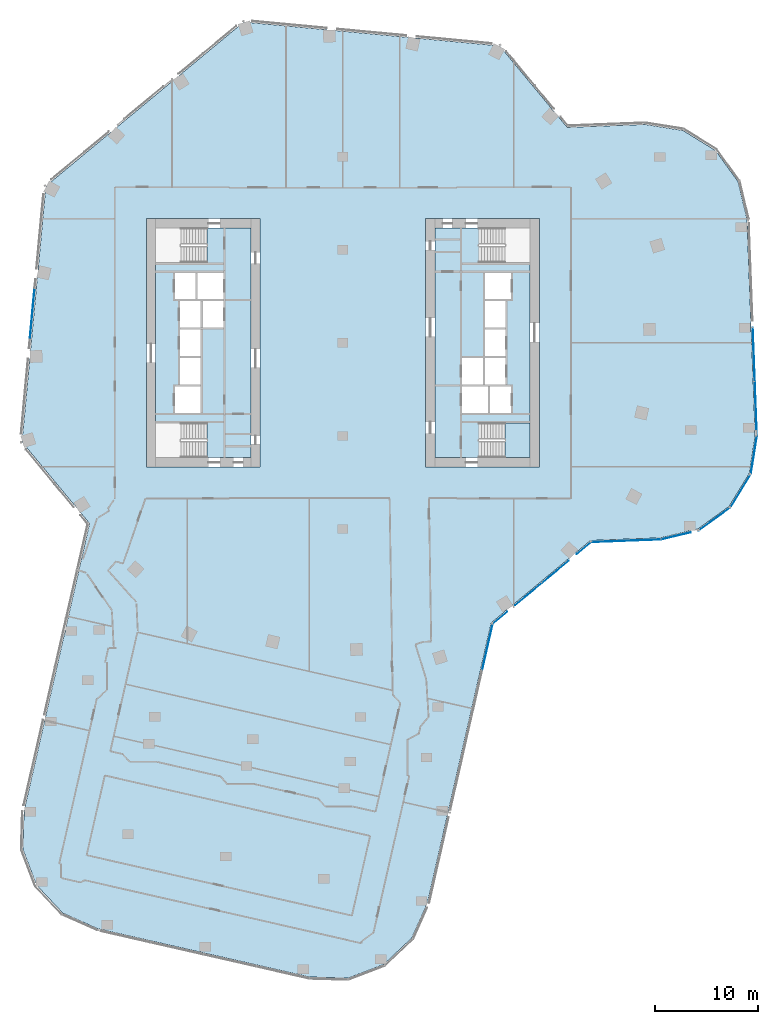
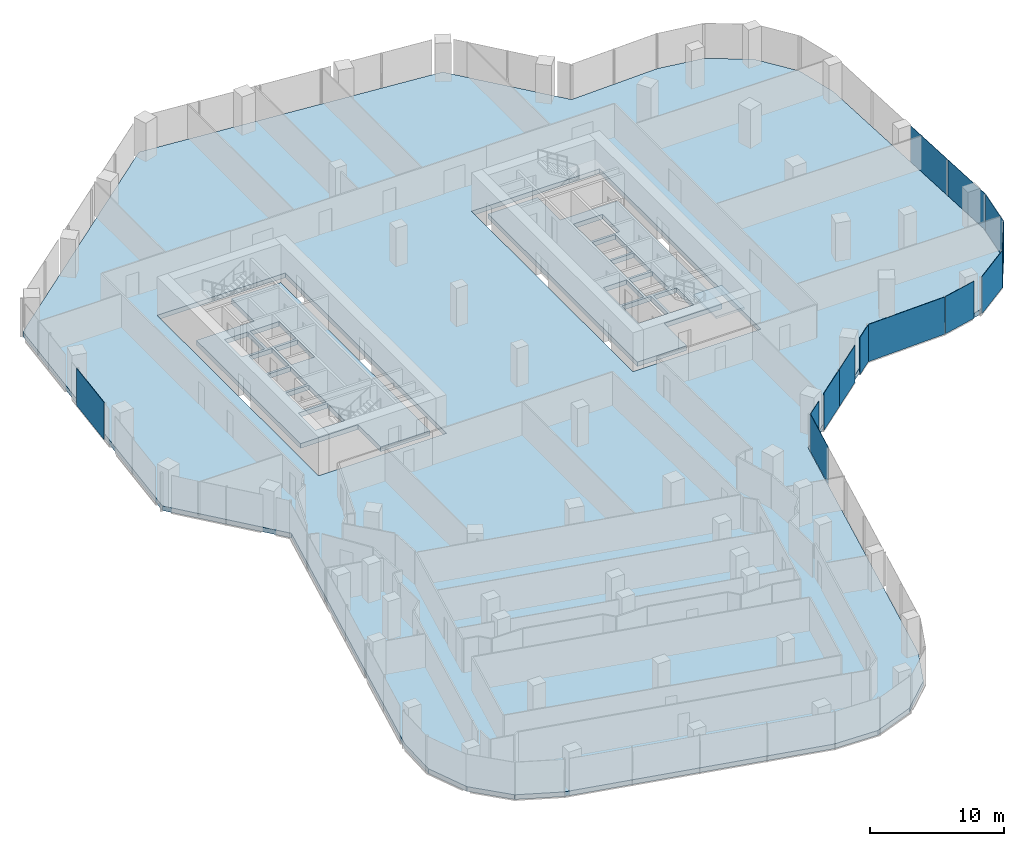
# One storey, part 15 of 24: 13 plates, 4 slabs, 10 elements without a shape of their own.
"""IFC4 building model written with IfcOpenShell, lengths in metres."""

from ifc_helpers import new_model, si_unit, direction, frame, origin, origin_2d, place, context, subcontext, project, spatial, polyline, rectangle, outline, extrude, material, layer, layer_set, type_object, element, aggregate, save


model = new_model("IFC4")

# Units and contexts
model_context = context("Model", 3, precision=1e-05, world=origin(), true_north=direction((0.0, 1.0)))
body_context = subcontext(model_context, "Body", "Model", "MODEL_VIEW")
ifc_project = project(units=[si_unit("LENGTHUNIT", "METRE"), si_unit("AREAUNIT", "SQUARE_METRE"), si_unit("VOLUMEUNIT", "CUBIC_METRE"), si_unit("PLANEANGLEUNIT", "RADIAN"), si_unit("MASSUNIT", "GRAM", prefix="KILO")], contexts=[model_context])

# Site, building, storey
site_placement = place(None, origin())
site = spatial("IfcSite", under=ifc_project, at=site_placement, CompositionType="ELEMENT")
building_placement = place(site_placement, origin())
building = spatial("IfcBuilding", under=site, at=building_placement, Name="Orlundy Tower", CompositionType="ELEMENT")
storey_placement = place(building_placement, frame((0.0, 0.0, 177.60009765625)))
storey = spatial("IfcBuildingStorey", under=building, at=storey_placement, Name="L46", CompositionType="ELEMENT", Elevation=177.60009765625)

# Curtain wall, plate
ifc_material_1 = material(Name="Aluminium bronze anodised", Category="aluminium")
curtain_wall_type = type_object("IfcCurtainWallType", Name="CW1 wall", PredefinedType="NOTDEFINED", material=ifc_material_1)
curtain_wall_1_placement = place(storey_placement, origin())
curtain_wall_1 = element("IfcCurtainWall", 1, at=curtain_wall_1_placement, inside=storey, type_object=curtain_wall_type, Name="CW1 run 02", PredefinedType="NOTDEFINED")
ifc_material_2 = material(Name="Tinted glass", Category="glass")
ifc_layer_1 = layer(ifc_material_2, 0.031982421875)
ifc_layer_set_1 = layer_set([ifc_layer_1], Name="CW1 glass panel 32")
plate_type = type_object("IfcPlateType", Name="CW1 glass panel 32", PredefinedType="CURTAIN_PANEL", material=ifc_layer_set_1)
plate_1_placement = place(storey_placement, frame((-30.033203125, 2.8037109375, -0.300048828125), z_axis=(0.0, 0.0, 1.0), x_axis=(0.092948066811, 0.995670958136, 0.0)))
plate_1 = element("IfcPlate", 2, at=plate_1_placement, type_object=plate_type, Name="CW1 panel", PredefinedType="CURTAIN_PANEL", context=body_context, shape_type="SweptSolid", body=[
    extrude(rectangle(XDim=4.92041015625, YDim=0.031982421875, at=origin_2d()), origin(), (0.0, 0.0, 1.0), 3.3798828125),
])
aggregate(curtain_wall_1, [plate_1])

# Curtain wall, plates
curtain_wall_2_placement = place(storey_placement, origin())
curtain_wall_2 = element("IfcCurtainWall", 3, at=curtain_wall_2_placement, inside=storey, type_object=curtain_wall_type, Name="CW1 run 011", PredefinedType="NOTDEFINED")
plate_2_placement = place(storey_placement, frame((39.735107421875, -1.12353515625, -0.300048828125), z_axis=(0.0, 0.0, 1.0), x_axis=(0.03780949547, -0.999284965389, 0.0)))
plate_2 = element("IfcPlate", 4, at=plate_2_placement, type_object=plate_type, Name="CW1 panel", PredefinedType="CURTAIN_PANEL", context=body_context, shape_type="SweptSolid", body=[
    extrude(rectangle(XDim=5.199951171875, YDim=0.031982421875, at=origin_2d()), origin(), (0.0, 0.0, 1.0), 3.3798828125),
])
plate_3_placement = place(storey_placement, frame((39.933837890625, -6.377685546875, -0.300048828125), z_axis=(0.0, 0.0, 1.0), x_axis=(0.03780949547, -0.999284965389, 0.0)))
plate_3 = element("IfcPlate", 5, at=plate_3_placement, type_object=plate_type, Name="CW1 panel", PredefinedType="CURTAIN_PANEL", context=body_context, shape_type="SweptSolid", body=[
    extrude(rectangle(XDim=5.216064453125, YDim=0.031982421875, at=origin_2d()), origin(), (0.0, 0.0, 1.0), 3.3798828125),
])
aggregate(curtain_wall_2, [plate_2, plate_3])

# Curtain wall, plate
curtain_wall_3_placement = place(storey_placement, origin())
curtain_wall_3 = element("IfcCurtainWall", 6, at=curtain_wall_3_placement, inside=storey, type_object=curtain_wall_type, Name="CW1 run 012", PredefinedType="NOTDEFINED")
plate_4_placement = place(storey_placement, frame((39.735107421875, -10.87548828125, -0.300048828125), z_axis=(0.0, 0.0, 1.0), x_axis=(-0.157832660108, -0.987465873539, 0.0)))
plate_4 = element("IfcPlate", 7, at=plate_4_placement, type_object=plate_type, Name="CW1 panel", PredefinedType="CURTAIN_PANEL", context=body_context, shape_type="SweptSolid", body=[
    extrude(rectangle(XDim=3.730224609375, YDim=0.031982421875, at=origin_2d()), origin(), (0.0, 0.0, 1.0), 3.3798828125),
])
aggregate(curtain_wall_3, [plate_4])

curtain_wall_4_placement = place(storey_placement, origin())
curtain_wall_4 = element("IfcCurtainWall", 8, at=curtain_wall_4_placement, inside=storey, type_object=curtain_wall_type, Name="CW1 run 013", PredefinedType="NOTDEFINED")
plate_5_placement = place(storey_placement, frame((38.45263671875, -14.323974609375, -0.300048828125), z_axis=(0.0, 0.0, 1.0), x_axis=(-0.523826505898, -0.851824977163, 0.0)))
plate_5 = element("IfcPlate", 9, at=plate_5_placement, type_object=plate_type, Name="CW1 panel", PredefinedType="CURTAIN_PANEL", context=body_context, shape_type="SweptSolid", body=[
    extrude(rectangle(XDim=3.772705078125, YDim=0.031982421875, at=origin_2d()), origin(), (0.0, 0.0, 1.0), 3.3798828125),
])
aggregate(curtain_wall_4, [plate_5])

curtain_wall_5_placement = place(storey_placement, origin())
curtain_wall_5 = element("IfcCurtainWall", 10, at=curtain_wall_5_placement, inside=storey, type_object=curtain_wall_type, Name="CW1 run 014", PredefinedType="NOTDEFINED")
plate_6_placement = place(storey_placement, frame((35.937255859375, -17.036865234375, -0.300048828125), z_axis=(0.0, 0.0, 1.0), x_axis=(-0.809924443503, -0.586534223909, 0.0)))
plate_6 = element("IfcPlate", 11, at=plate_6_placement, type_object=plate_type, Name="CW1 panel", PredefinedType="CURTAIN_PANEL", context=body_context, shape_type="SweptSolid", body=[
    extrude(rectangle(XDim=3.771728515625, YDim=0.031982421875, at=origin_2d()), origin(), (0.0, 0.0, 1.0), 3.3798828125),
])
aggregate(curtain_wall_5, [plate_6])

curtain_wall_6_placement = place(storey_placement, origin())
curtain_wall_6 = element("IfcCurtainWall", 12, at=curtain_wall_6_placement, inside=storey, type_object=curtain_wall_type, Name="CW1 run 015", PredefinedType="NOTDEFINED")
plate_7_placement = place(storey_placement, frame((32.206298828125, -18.669189453125, -0.300048828125), z_axis=(0.0, 0.0, 1.0), x_axis=(-0.972643862343, -0.232301349645, 0.0)))
plate_7 = element("IfcPlate", 13, at=plate_7_placement, type_object=plate_type, Name="CW1 panel", PredefinedType="CURTAIN_PANEL", context=body_context, shape_type="SweptSolid", body=[
    extrude(rectangle(XDim=2.92919921875, YDim=0.031982421875, at=origin_2d()), origin(), (0.0, 0.0, 1.0), 3.3798828125),
])
aggregate(curtain_wall_6, [plate_7])

curtain_wall_7_placement = place(storey_placement, origin())
curtain_wall_7 = element("IfcCurtainWall", 14, at=curtain_wall_7_placement, inside=storey, type_object=curtain_wall_type, Name="CW1 run 016", PredefinedType="NOTDEFINED")
plate_8_placement = place(storey_placement, frame((27.37451171875, -19.14306640625, -0.300048828125), z_axis=(0.0, 0.0, 1.0), x_axis=(-0.999287923787, -0.037731225433, 0.0)))
plate_8 = element("IfcPlate", 15, at=plate_8_placement, type_object=plate_type, Name="CW1 panel", PredefinedType="CURTAIN_PANEL", context=body_context, shape_type="SweptSolid", body=[
    extrude(rectangle(XDim=6.72021484375, YDim=0.031982421875, at=origin_2d()), origin(), (0.0, 0.0, 1.0), 3.3798828125),
])
aggregate(curtain_wall_7, [plate_8])

# Curtain wall, plates
curtain_wall_8_placement = place(storey_placement, origin())
curtain_wall_8 = element("IfcCurtainWall", 16, at=curtain_wall_8_placement, inside=storey, type_object=curtain_wall_type, Name="CW1 run 017", PredefinedType="NOTDEFINED")
plate_9_placement = place(storey_placement, frame((23.319091796875, -19.848388671875, -0.300048828125), z_axis=(0.0, 0.0, 1.0), x_axis=(-0.769761799816, -0.638331239674, 0.0)))
plate_9 = element("IfcPlate", 17, at=plate_9_placement, type_object=plate_type, Name="CW1 panel", PredefinedType="CURTAIN_PANEL", context=body_context, shape_type="SweptSolid", body=[
    extrude(rectangle(XDim=1.81298828125, YDim=0.031982421875, at=origin_2d()), origin(), (0.0, 0.0, 1.0), 3.3798828125),
])
plate_10_placement = place(storey_placement, frame((20.555908203125, -22.139892578125, -0.300048828125), z_axis=(0.0, 0.0, 1.0), x_axis=(-0.769761799816, -0.638331239674, 0.0)))
plate_10 = element("IfcPlate", 18, at=plate_10_placement, type_object=plate_type, Name="CW1 panel", PredefinedType="CURTAIN_PANEL", context=body_context, shape_type="SweptSolid", body=[
    extrude(rectangle(XDim=3.33203125, YDim=0.031982421875, at=origin_2d()), origin(), (0.0, 0.0, 1.0), 3.3798828125),
])
plate_11_placement = place(storey_placement, frame((17.95263671875, -24.298583984375, -0.300048828125), z_axis=(0.0, 0.0, 1.0), x_axis=(-0.769761799816, -0.638331239674, 0.0)))
plate_11 = element("IfcPlate", 19, at=plate_11_placement, type_object=plate_type, Name="CW1 panel", PredefinedType="CURTAIN_PANEL", context=body_context, shape_type="SweptSolid", body=[
    extrude(rectangle(XDim=3.331787109375, YDim=0.031982421875, at=origin_2d()), origin(), (0.0, 0.0, 1.0), 3.3798828125),
])
plate_12_placement = place(storey_placement, frame((15.189453125, -26.58984375, -0.300048828125), z_axis=(0.0, 0.0, 1.0), x_axis=(-0.769761799816, -0.638331239674, 0.0)))
plate_12 = element("IfcPlate", 20, at=plate_12_placement, type_object=plate_type, Name="CW1 panel", PredefinedType="CURTAIN_PANEL", context=body_context, shape_type="SweptSolid", body=[
    extrude(rectangle(XDim=1.8134765625, YDim=0.031982421875, at=origin_2d()), origin(), (0.0, 0.0, 1.0), 3.3798828125),
])
aggregate(curtain_wall_8, [plate_9, plate_10, plate_11, plate_12])

# Curtain wall, plate
curtain_wall_9_placement = place(storey_placement, origin())
curtain_wall_9 = element("IfcCurtainWall", 21, at=curtain_wall_9_placement, inside=storey, type_object=curtain_wall_type, Name="CW1 run 018", PredefinedType="NOTDEFINED")
plate_13_placement = place(storey_placement, frame((13.986328125, -29.386962890625, -0.300048828125), z_axis=(0.0, 0.0, 1.0), x_axis=(-0.222106437373, -0.975022425628, 0.0)))
plate_13 = element("IfcPlate", 22, at=plate_13_placement, type_object=plate_type, Name="CW1 panel", PredefinedType="CURTAIN_PANEL", context=body_context, shape_type="SweptSolid", body=[
    extrude(rectangle(XDim=4.550048828125, YDim=0.031982421875, at=origin_2d()), origin(), (0.0, 0.0, 1.0), 3.3798828125),
])
aggregate(curtain_wall_9, [plate_13])

# Slabs
ifc_material_3 = material(Name="Concrete C50/60", Category="concrete")
ifc_layer_2 = layer(ifc_material_3, 0.419921875)
ifc_layer_set_2 = layer_set([ifc_layer_2], Name="Core Floor Slab 420")
slab_type_1 = type_object("IfcSlabType", Name="Core Floor Slab 420", PredefinedType="FLOOR", material=ifc_layer_set_2)
slab_1_placement = place(storey_placement, frame((0.0, 0.0, -0.420166015625)))
element("IfcSlab", 23, at=slab_1_placement, inside=storey, type_object=slab_type_1, Name="Core floor W35", PredefinedType="FLOOR", context=body_context, shape_type="SweptSolid", body=[
    extrude(outline(polyline([(-13.14501953125, -11.10009765625), (-13.14501953125, -7.75), (-18.10009765625, -7.75), (-18.10009765625, 7.75), (-13.14501953125, 7.75), (-13.14501953125, 11.10009765625), (-8.89990234375, 11.10009765625), (-8.89990234375, -11.10009765625), (-13.14501953125, -11.10009765625)]), holes=[polyline([(-13.739990234375, -4.22509765625), (-16.239990234375, -4.22509765625), (-16.239990234375, -6.77490234375), (-13.739990234375, -6.77490234375), (-13.739990234375, -4.22509765625)]), polyline([(-13.739990234375, -4.02490234375), (-13.739990234375, -1.47509765625), (-15.739990234375, -1.47509765625), (-15.739990234375, -4.02490234375), (-13.739990234375, -4.02490234375)]), polyline([(-15.739990234375, -1.27490234375), (-13.739990234375, -1.27490234375), (-13.739990234375, 1.27490234375), (-15.739990234375, 1.27490234375), (-15.739990234375, -1.27490234375)]), polyline([(-13.5400390625, 4.02490234375), (-13.5400390625, 1.47509765625), (-11.5400390625, 1.47509765625), (-11.5400390625, 4.02490234375), (-13.5400390625, 4.02490234375)]), polyline([(-13.739990234375, 4.02490234375), (-15.739990234375, 4.02490234375), (-15.739990234375, 1.47509765625), (-13.739990234375, 1.47509765625), (-13.739990234375, 4.02490234375)]), polyline([(-11.5400390625, 4.22509765625), (-11.5400390625, 6.77490234375), (-14.0400390625, 6.77490234375), (-14.0400390625, 4.22509765625), (-11.5400390625, 4.22509765625)]), polyline([(-16.239990234375, 4.22509765625), (-14.239990234375, 4.22509765625), (-14.239990234375, 6.77490234375), (-16.239990234375, 6.77490234375), (-16.239990234375, 4.22509765625)])]), origin(), (0.0, 0.0, 1.0), 0.420166015625),
])
slab_2_placement = place(storey_placement, frame((0.0, 0.0, -0.420166015625)))
element("IfcSlab", 24, at=slab_2_placement, inside=storey, type_object=slab_type_1, Name="Core floor E35", PredefinedType="FLOOR", context=body_context, shape_type="SweptSolid", body=[
    extrude(outline(polyline([(13.14501953125, 11.10009765625), (13.14501953125, 7.75), (18.10009765625, 7.75), (18.10009765625, -7.75), (13.14501953125, -7.75), (13.14501953125, -11.10009765625), (8.89990234375, -11.10009765625), (8.89990234375, 11.10009765625), (13.14501953125, 11.10009765625)]), holes=[polyline([(13.739990234375, 4.22509765625), (16.239990234375, 4.22509765625), (16.239990234375, 6.77490234375), (13.739990234375, 6.77490234375), (13.739990234375, 4.22509765625)]), polyline([(13.739990234375, 4.02490234375), (13.739990234375, 1.47509765625), (15.739990234375, 1.47509765625), (15.739990234375, 4.02490234375), (13.739990234375, 4.02490234375)]), polyline([(15.739990234375, 1.27490234375), (13.739990234375, 1.27490234375), (13.739990234375, -1.27490234375), (15.739990234375, -1.27490234375), (15.739990234375, 1.27490234375)]), polyline([(13.5400390625, -4.02490234375), (13.5400390625, -1.47509765625), (11.5400390625, -1.47509765625), (11.5400390625, -4.02490234375), (13.5400390625, -4.02490234375)]), polyline([(13.739990234375, -4.02490234375), (15.739990234375, -4.02490234375), (15.739990234375, -1.47509765625), (13.739990234375, -1.47509765625), (13.739990234375, -4.02490234375)]), polyline([(11.5400390625, -4.22509765625), (11.5400390625, -6.77490234375), (14.0400390625, -6.77490234375), (14.0400390625, -4.22509765625), (11.5400390625, -4.22509765625)]), polyline([(16.239990234375, -4.22509765625), (14.239990234375, -4.22509765625), (14.239990234375, -6.77490234375), (16.239990234375, -6.77490234375), (16.239990234375, -4.22509765625)])]), origin(), (0.0, 0.0, 1.0), 0.420166015625),
])

# Stair, slab
ifc_material_4 = material(Name="Concrete C50/60", Category="concrete")
stair_type = type_object("IfcStairType", Name="Exit Stair 20 risers", PredefinedType="HALF_TURN_STAIR", material=ifc_material_4)
stair_placement = place(storey_placement, origin())
stair = element("IfcStair", 25, at=stair_placement, inside=storey, type_object=stair_type, Name="L46 Exit Stair ST-E1", PredefinedType="HALF_TURN_STAIR")
ifc_material_5 = material(Name="Concrete C50/60", Category="concrete")
ifc_layer_3 = layer(ifc_material_5, 0.199951171875)
ifc_layer_set_3 = layer_set([ifc_layer_3], Name="Exit Stair Landing")
slab_type_2 = type_object("IfcSlabType", Name="Exit Stair Landing", PredefinedType="LANDING", material=ifc_layer_set_3)
slab_3_placement = place(storey_placement, frame((0.0, 0.0, 1.5498046875)))
slab_3 = element("IfcSlab", 26, at=slab_3_placement, type_object=slab_type_2, Name="ST-E1 landing 1", PredefinedType="LANDING", context=body_context, shape_type="SweptSolid", body=[
    extrude(outline(polyline([(15.659912109375, -11.10009765625), (18.10009765625, -11.10009765625), (18.10009765625, -7.75), (15.659912109375, -7.75), (15.659912109375, -11.10009765625)])), origin(), (0.0, 0.0, 1.0), 0.2001953125),
])
aggregate(stair, [slab_3])

# Slab
ifc_material_6 = material(Name="Concrete C45/55", Category="concrete")
ifc_layer_4 = layer(ifc_material_6, 0.419921875)
ifc_layer_set_4 = layer_set([ifc_layer_4], Name="TRANSFER FLOOR SLAB 420 C45/55")
slab_type_3 = type_object("IfcSlabType", Name="TRANSFER FLOOR SLAB 420 C45/55", PredefinedType="FLOOR", material=ifc_layer_set_4)
slab_4_placement = place(storey_placement, frame((0.0, 0.0, -0.420166015625)))
element("IfcSlab", 27, at=slab_4_placement, inside=storey, type_object=slab_type_3, Name="Floor slab L46", PredefinedType="FLOOR", context=body_context, shape_type="SweptSolid", body=[
    extrude(outline(polyline([(-24.490966796875, -17.464111328125), (-31.02490234375, -9.583984375), (-28.715087890625, 15.160888671875), (-9.583984375, 31.02490234375), (15.160888671875, 28.715087890625), (21.695068359375, 20.8349609375), (29.221923828125, 21.1201171875), (32.883056640625, 20.534912109375), (36.0400390625, 18.593017578125), (38.215087890625, 15.591064453125), (39.074951171875, 11.986083984375), (39.868896484375, -8.9990234375), (39.283935546875, -12.658935546875), (37.342041015625, -15.81689453125), (34.340087890625, -17.990966796875), (30.735107421875, -18.85205078125), (23.955078125, -19.10791015625), (14.343994140625, -27.077880859375), (8.173095703125, -54.16796875), (6.659912109375, -57.552001953125), (3.967041015625, -60.10009765625), (0.5048828125, -61.423095703125), (-3.199951171875, -61.321044921875), (-23.676025390625, -56.656982421875), (-27.06005859375, -55.14404296875), (-29.60693359375, -52.450927734375), (-30.930908203125, -48.989013671875), (-30.827880859375, -45.283935546875), (-24.490966796875, -17.464111328125)]), holes=[polyline([(-8.0, -12.0), (-8.0, 12.0), (-19.0, 12.0), (-19.0, -12.0), (-8.0, -12.0)]), polyline([(19.0, -12.0), (19.0, 12.0), (8.0, 12.0), (8.0, -12.0), (19.0, -12.0)])]), origin(), (0.0, 0.0, 1.0), 0.420166015625),
])

save(model, "model.ifc")
